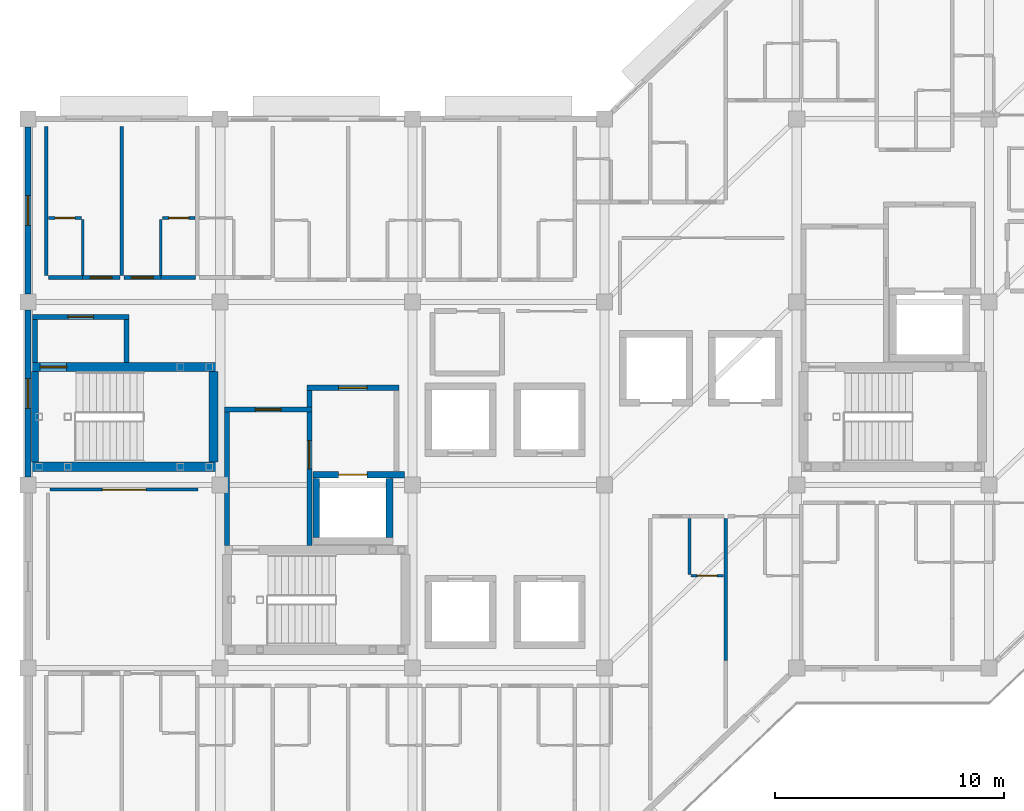
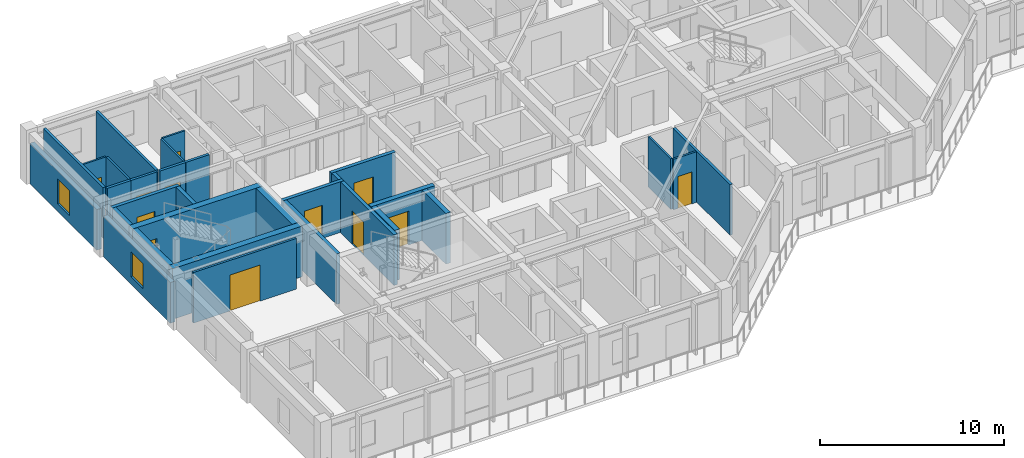
# One storey, part 6 of 16: 31 walls, 12 doors, 2 windows, 14 openings.
"""IFC4 building model written with IfcOpenShell, lengths in metres."""

import ifcopenshell
import ifcopenshell.guid

model = None  # the IFC model being written
_history = None  # IfcOwnerHistory: only IFC2X3 demands one
_inside = {}  # id of a spatial element -> (the spatial element, [elements in it])
_under = {}  # id of a project, library or spatial element -> (it, [spatial elements below it])
_declared = {}  # id of a project -> (the project, [libraries it declares])
_typed = {}  # id of a type object -> (the type object, [elements of that type])
_made_of = {}  # id of a material, layer set ... -> (it, [elements and type objects made of it])


def new_model(schema):
    """Start an empty IFC model of exactly this schema.

    Asked for "IFC4X3", IfcOpenShell would pick the latest addendum, in which some entities
    have other attributes; the version numbers below select the first issue.
    IFC2X3 requires an IfcOwnerHistory on every rooted entity: one is made here for all.
    """
    global model, _history
    if schema == "IFC4X3":
        model = ifcopenshell.file(schema_version=(4, 3, 0, 0))
    else:
        model = ifcopenshell.file(schema=schema)
    _inside.clear()
    _under.clear()
    _declared.clear()
    _typed.clear()
    _made_of.clear()
    _history = None
    if model.schema == "IFC2X3":
        org = make("IfcOrganization", Name="unknown")
        user = make(
            "IfcPersonAndOrganization",
            ThePerson=make("IfcPerson", FamilyName="unknown"),
            TheOrganization=org,
        )
        app = make(
            "IfcApplication",
            ApplicationDeveloper=org,
            Version="unknown",
            ApplicationFullName="unknown",
            ApplicationIdentifier="unknown",
        )
        _history = make(
            "IfcOwnerHistory",
            OwningUser=user,
            OwningApplication=app,
            ChangeAction="ADDED",
            CreationDate=0,
        )
    return model


def make(cls, **values):
    """One entity of the class cls with the attributes given. An attribute that is None is left unset."""
    return model.create_entity(
        cls, **{name: value for name, value in values.items() if value is not None}
    )


def rooted(cls, **values):
    """An entity with a GlobalId (a new one), such as an element, a storey or a relation."""
    return make(cls, GlobalId=ifcopenshell.guid.new(), OwnerHistory=_history, **values)


def si_unit(unit_type, name, prefix=None):
    """IfcSIUnit, for example si_unit("LENGTHUNIT", "METRE", prefix="MILLI")."""
    return make("IfcSIUnit", UnitType=unit_type, Prefix=prefix, Name=name)


def assignment(units):
    """IfcUnitAssignment: the units of a project."""
    return None if units is None else make("IfcUnitAssignment", Units=units)


def point(xyz):
    """IfcCartesianPoint."""
    return None if xyz is None else make("IfcCartesianPoint", Coordinates=xyz)


def direction(xyz):
    """IfcDirection."""
    return None if xyz is None else make("IfcDirection", DirectionRatios=xyz)


def frame(location, z_axis=None, x_axis=None):
    """IfcAxis2Placement3D, a coordinate frame: its origin and axes. An axis left out is left unset."""
    return make(
        "IfcAxis2Placement3D",
        Location=point(location),
        Axis=direction(z_axis),
        RefDirection=direction(x_axis),
    )


def frame_2d(location, x_axis=None):
    """IfcAxis2Placement2D, a coordinate frame in the plane: its origin and x axis."""
    return make(
        "IfcAxis2Placement2D", Location=point(location), RefDirection=direction(x_axis)
    )


def origin():
    """The frame at (0, 0, 0) with its axes left unset."""
    return frame((0.0, 0.0, 0.0))


def place(relative_to, where):
    """IfcLocalPlacement: puts the frame where relative to a parent placement (None: the world)."""
    return make(
        "IfcLocalPlacement", PlacementRelTo=relative_to, RelativePlacement=where
    )


def context(
    kind, dimensions, precision=None, world=None, true_north=None, identifier=None
):
    """IfcGeometricRepresentationContext, for example the 3D "Model" context."""
    return make(
        "IfcGeometricRepresentationContext",
        ContextIdentifier=identifier,
        ContextType=kind,
        CoordinateSpaceDimension=dimensions,
        Precision=precision,
        WorldCoordinateSystem=world,
        TrueNorth=true_north,
    )


def subcontext(parent, identifier, kind, view, scale=None):
    """IfcGeometricRepresentationSubContext, for example "Body" below "Model"."""
    return make(
        "IfcGeometricRepresentationSubContext",
        ContextIdentifier=identifier,
        ContextType=kind,
        ParentContext=parent,
        TargetScale=scale,
        TargetView=view,
    )


def project(units=None, contexts=None):
    """IfcProject with its units and contexts."""
    return rooted(
        "IfcProject",
        Name="project",
        RepresentationContexts=contexts,
        UnitsInContext=assignment(units),
    )


def spatial(cls, under=None, at=None, **own):
    """A site, building, storey or space (cls), placed at a placement, below another one or the project."""
    s = rooted(cls, ObjectPlacement=at, **own)
    if under is not None:
        _under.setdefault(under.id(), (under, []))[1].append(s)
    return s


def profile(cls, at=None, kind="AREA", **sizes):
    """A parametric profile (cls). Its sizes go by their IFC names, for example OverallWidth=200.0."""
    return make(cls, ProfileType=kind, Position=at, **sizes)


def rectangle(**sizes):
    """IfcRectangleProfileDef."""
    return profile("IfcRectangleProfileDef", **sizes)


def extrude(swept, where, along, depth):
    """IfcExtrudedAreaSolid: the profile swept, set in the frame where, extruded along a direction by depth."""
    return make(
        "IfcExtrudedAreaSolid",
        SweptArea=swept,
        Position=where,
        ExtrudedDirection=direction(along),
        Depth=depth,
    )


def shape(context_of_items, identifier, shape_type, items):
    """IfcShapeRepresentation: the items that make up one representation, for example the "Body"."""
    return make(
        "IfcShapeRepresentation",
        ContextOfItems=context_of_items,
        RepresentationIdentifier=identifier,
        RepresentationType=shape_type,
        Items=items,
    )


def material(Name=None, Category=None):
    """IfcMaterial."""
    return make("IfcMaterial", Name=Name, Category=Category)


def layer(
    of_material, thickness, ventilated=None, Name=None, Category=None, Priority=None
):
    """IfcMaterialLayer: one layer of a wall or slab, of a material (None: an air gap)."""
    return make(
        "IfcMaterialLayer",
        Material=of_material,
        LayerThickness=thickness,
        IsVentilated=ventilated,
        Name=Name,
        Category=Category,
        Priority=Priority,
    )


def layer_set(layers, Name=None):
    """IfcMaterialLayerSet."""
    return make("IfcMaterialLayerSet", MaterialLayers=layers, LayerSetName=Name)


def made_of(thing, what):
    """Note that an element or type object is made of a material, layer set ...; save() writes the relation."""
    if what is not None:
        _made_of.setdefault(what.id(), (what, []))[1].append(thing)
    return thing


def type_object(cls, material=None, **own):
    """A type object (cls), such as IfcWallType, which elements share."""
    return made_of(rooted(cls, **own), material)


def element(
    cls,
    number,
    at=None,
    inside=None,
    cuts=None,
    type_object=None,
    material=None,
    context=None,
    identifier="Body",
    shape_type=None,
    held_by="IfcProductDefinitionShape",
    body=None,
    shapes=None,
    **own,
):
    """One element of the class cls, such as IfcWall. Its Tag is "e" and its number.

    at: its placement. inside: the storey or other place that contains it. cuts: it is an
    opening in that element (IfcRelVoidsElement). A single representation is given by context,
    identifier, shape_type and body (its items); several are given by shapes. held_by: the class
    of the entity that holds the representations. save() writes the other relations.
    """
    e = rooted(cls, Tag="e%d" % number, ObjectPlacement=at, **own)
    if body is not None:
        shapes = [shape(context, identifier, shape_type, body)]
    if shapes is not None:
        e.Representation = make(held_by, Representations=shapes)
    if inside is not None:
        _inside.setdefault(inside.id(), (inside, []))[1].append(e)
    if cuts is not None:
        rooted(
            "IfcRelVoidsElement", RelatingBuildingElement=cuts, RelatedOpeningElement=e
        )
    if type_object is not None:
        _typed.setdefault(type_object.id(), (type_object, []))[1].append(e)
    return made_of(e, material)


def fill(opening, filler):
    """IfcRelFillsElement: the door or window that sits in an opening."""
    return rooted(
        "IfcRelFillsElement",
        RelatingOpeningElement=opening,
        RelatedBuildingElement=filler,
    )


def aggregate(whole, parts):
    """IfcRelAggregates: a whole, such as a stair, and the parts it consists of."""
    return rooted("IfcRelAggregates", RelatingObject=whole, RelatedObjects=parts)


def save(model, path):
    """Write the relations noted so far, then the file.

    IfcRelAggregates (storeys below a building ...), IfcRelContainedInSpatialStructure (elements
    in a storey), IfcRelDefinesByType, IfcRelAssociatesMaterial and IfcRelDeclares: one each for
    every whole, place, type object, material and project.
    """
    for whole, parts in _under.values():
        aggregate(whole, parts)
    for where, things in _inside.values():
        rooted(
            "IfcRelContainedInSpatialStructure",
            RelatedElements=things,
            RelatingStructure=where,
        )
    for kind, things in _typed.values():
        rooted("IfcRelDefinesByType", RelatedObjects=things, RelatingType=kind)
    for what, things in _made_of.values():
        rooted("IfcRelAssociatesMaterial", RelatedObjects=things, RelatingMaterial=what)
    for by, libraries in _declared.values():
        rooted("IfcRelDeclares", RelatingContext=by, RelatedDefinitions=libraries)
    model.write(path)


model = new_model("IFC4")

# Units and contexts
model_context = context("Model", 3, precision=1e-05, world=origin(), true_north=direction((0.0, 1.0)))
body_context = subcontext(model_context, "Body", "Model", "MODEL_VIEW")
ifc_project = project(units=[si_unit("LENGTHUNIT", "METRE"), si_unit("AREAUNIT", "SQUARE_METRE"), si_unit("VOLUMEUNIT", "CUBIC_METRE"), si_unit("PLANEANGLEUNIT", "RADIAN"), si_unit("MASSUNIT", "GRAM", prefix="KILO")], contexts=[model_context])

# Site, building, storey
site_placement = place(None, origin())
site = spatial("IfcSite", under=ifc_project, at=site_placement, CompositionType="ELEMENT")
building_placement = place(site_placement, origin())
building = spatial("IfcBuilding", under=site, at=building_placement, Name="Naruveol Harbour Congress Hotel", CompositionType="ELEMENT")
storey_placement = place(building_placement, frame((0.0, 0.0, 28.800048828125)))
storey = spatial("IfcBuildingStorey", under=building, at=storey_placement, Name="L06", CompositionType="ELEMENT", Elevation=28.800048828125)

# Wall, opening, door
ifc_material_1 = material(Name="Acoustic Double Stud Gypsum", Category="gypsum")
ifc_layer_1 = layer(ifc_material_1, 0.139892578125)
ifc_layer_set_1 = layer_set([ifc_layer_1], Name="Acoustic Double Stud Gypsum")
wall_type_1 = type_object("IfcWallType", Name="ACOUSTIC MEETING PARTITION WALL 140", PredefinedType="PARTITIONING", material=ifc_layer_set_1)
wall_1_placement = place(storey_placement, frame((118.56005859375, 15.800048828125, 0.0), z_axis=(0.0, 0.0, 1.0), x_axis=(1.0, 0.0, 0.0)))
wall_1 = element("IfcWall", 1, at=wall_1_placement, inside=storey, type_object=wall_type_1, Name="Executive Harbour Lounge north entry wall PW-140", PredefinedType="PARTITIONING", context=body_context, shape_type="SweptSolid", body=[
    extrude(rectangle(XDim=6.47998046875, YDim=0.139892578125, at=frame_2d((3.239990234375, 0.0))), origin(), (0.0, 0.0, 1.0), 3.364990234375),
])
opening_1_placement = place(wall_1_placement, frame((2.2900390625, 0.0, 0.0)))
opening_1 = element("IfcOpeningElement", 2, at=opening_1_placement, cuts=wall_1, Name="Opening ID-LG-107", PredefinedType="OPENING", context=body_context, shape_type="SweptSolid", body=[
    extrude(rectangle(XDim=1.89990234375, YDim=2.39990234375, at=frame_2d((0.949951171875, 1.199951171875))), frame((0.0, 0.079833984375, 0.0), z_axis=(0.0, -1.0, 0.0), x_axis=(1.0, 0.0, 0.0)), (0.0, 0.0, 1.0), 0.159912109375),
])
ifc_material_2 = material(Name="Timber & Steel Acoustic Leaf", Category="steel")
door_type_1 = type_object("IfcDoorType", Name="RESTAURANT AND LOUNGE GLAZED DOOR 1900X2400", OperationType="DOUBLE_DOOR_SINGLE_SWING", PredefinedType="DOOR", material=ifc_material_2)
door_1_placement = place(opening_1_placement, origin())
door_1 = element("IfcDoor", 3, at=door_1_placement, inside=storey, type_object=door_type_1, Name="Executive Harbour Lounge Entrance Door", OperationType="DOUBLE_DOOR_SINGLE_SWING", OverallHeight=2.39990234375, OverallWidth=1.89990234375, PredefinedType="DOOR", context=body_context, shape_type="SweptSolid", body=[
    extrude(rectangle(XDim=1.89990234375, YDim=2.39990234375, at=frame_2d((0.949951171875, 1.199951171875))), frame((0.0, 0.02490234375, 0.0), z_axis=(0.0, -1.0, 0.0), x_axis=(1.0, 0.0, 0.0)), (0.0, 0.0, 1.0), 0.050048828125),
])
fill(opening_1, door_1)

# Wall, opening, window
ifc_material_3 = material(Name="Precast concrete C40/50", Category="concrete")
ifc_layer_2 = layer(ifc_material_3, 0.280029296875)
ifc_layer_set_2 = layer_set([ifc_layer_2], Name="Precast concrete C40/50")
wall_type_2 = type_object("IfcWallType", Name="ARCHITECTURAL PRECAST FACADE WALL 280", PredefinedType="SOLIDWALL", material=ifc_layer_set_2)
wall_2_placement = place(storey_placement, frame((117.60009765625, 16.35009765625, 0.0), z_axis=(0.0, 0.0, 1.0), x_axis=(0.0, 1.0, 0.0)))
wall_2 = element("IfcWall", 4, at=wall_2_placement, inside=storey, type_object=wall_type_2, Name="Hotel west gable wall L06 EW-280", PredefinedType="SOLIDWALL", context=body_context, shape_type="SweptSolid", body=[
    extrude(rectangle(XDim=7.2998046875, YDim=0.280029296875, at=frame_2d((3.64990234375, 0.0))), origin(), (0.0, 0.0, 1.0), 2.699951171875),
])
opening_2_placement = place(wall_2_placement, frame((3.0, 0.0, 0.5)))
opening_2 = element("IfcOpeningElement", 5, at=opening_2_placement, cuts=wall_2, Name="Opening W-27", PredefinedType="OPENING", context=body_context, shape_type="SweptSolid", body=[
    extrude(rectangle(XDim=1.300048828125, YDim=1.64990234375, at=frame_2d((0.64990234375, 0.824951171875))), frame((0.0, 0.14990234375, 0.0), z_axis=(0.0, -1.0, 0.0), x_axis=(1.0, 0.0, 0.0)), (0.0, 0.0, 1.0), 0.300048828125),
])
ifc_material_4 = material(Name="Low-E Triple Glazing in Thermal Aluminium", Category="aluminium")
window_type = type_object("IfcWindowType", Name="READING SALON TALL WINDOW 1300X1650", PartitioningType="SINGLE_PANEL", PredefinedType="WINDOW", material=ifc_material_4)
window_1_placement = place(opening_2_placement, origin())
window_1 = element("IfcWindow", 6, at=window_1_placement, inside=storey, type_object=window_type, Name="Window W-27 #378", OverallHeight=1.64990234375, OverallWidth=1.300048828125, PartitioningType="SINGLE_PANEL", PredefinedType="WINDOW", context=body_context, shape_type="SweptSolid", body=[
    extrude(rectangle(XDim=1.300048828125, YDim=1.64990234375, at=frame_2d((0.64990234375, 0.824951171875))), frame((0.0, 0.030029296875, 0.0), z_axis=(0.0, -1.0, 0.0), x_axis=(1.0, 0.0, 0.0)), (0.0, 0.0, 1.0), 0.06005859375),
])
fill(opening_2, window_1)

wall_3_placement = place(storey_placement, frame((117.60009765625, 24.35009765625, 0.0), z_axis=(0.0, 0.0, 1.0), x_axis=(0.0, 1.0, 0.0)))
wall_3 = element("IfcWall", 7, at=wall_3_placement, inside=storey, type_object=wall_type_2, Name="Hotel west gable wall L06 EW-280", PredefinedType="SOLIDWALL", context=body_context, shape_type="SweptSolid", body=[
    extrude(rectangle(XDim=7.2998046875, YDim=0.280029296875, at=frame_2d((3.64990234375, 0.0))), origin(), (0.0, 0.0, 1.0), 2.699951171875),
])
opening_3_placement = place(wall_3_placement, frame((3.0, 0.0, 0.5)))
opening_3 = element("IfcOpeningElement", 8, at=opening_3_placement, cuts=wall_3, Name="Opening W-27", PredefinedType="OPENING", context=body_context, shape_type="SweptSolid", body=[
    extrude(rectangle(XDim=1.300048828125, YDim=1.64990234375, at=frame_2d((0.64990234375, 0.824951171875))), frame((0.0, 0.14990234375, 0.0), z_axis=(0.0, -1.0, 0.0), x_axis=(1.0, 0.0, 0.0)), (0.0, 0.0, 1.0), 0.300048828125),
])
window_2_placement = place(opening_3_placement, origin())
window_2 = element("IfcWindow", 9, at=window_2_placement, inside=storey, type_object=window_type, Name="Window W-27 #379", OverallHeight=1.64990234375, OverallWidth=1.300048828125, PartitioningType="SINGLE_PANEL", PredefinedType="WINDOW", context=body_context, shape_type="SweptSolid", body=[
    extrude(rectangle(XDim=1.300048828125, YDim=1.64990234375, at=frame_2d((0.64990234375, 0.824951171875))), frame((0.0, 0.030029296875, 0.0), z_axis=(0.0, -1.0, 0.0), x_axis=(1.0, 0.0, 0.0)), (0.0, 0.0, 1.0), 0.06005859375),
])
fill(opening_3, window_2)

# Wall
ifc_material_5 = material(Name="Moisture-Resistant Gypsum Partition", Category="gypsum")
ifc_layer_3 = layer(ifc_material_5, 0.114990234375)
ifc_layer_set_3 = layer_set([ifc_layer_3], Name="Moisture-Resistant Gypsum Partition")
wall_type_3 = type_object("IfcWallType", Name="BATHROOM MOISTURE PARTITION WALL 115", PredefinedType="PARTITIONING", material=ifc_layer_set_3)
wall_4_placement = place(storey_placement, frame((119.989990234375, 25.159912109375, 0.0), z_axis=(0.0, 0.0, 1.0), x_axis=(0.0, 1.0, 0.0)))
element("IfcWall", 10, at=wall_4_placement, inside=storey, type_object=wall_type_3, Name="Bathroom east wall 0770 PW-115", PredefinedType="PARTITIONING", context=body_context, shape_type="SweptSolid", body=[
    extrude(rectangle(XDim=2.4501953125, YDim=0.114990234375, at=frame_2d((1.22509765625, 0.0))), origin(), (0.0, 0.0, 1.0), 3.364990234375),
])

# Wall, opening, door
wall_5_placement = place(storey_placement, frame((118.5, 27.669921875, 0.0), z_axis=(0.0, 0.0, 1.0), x_axis=(1.0, 0.0, 0.0)))
wall_5 = element("IfcWall", 11, at=wall_5_placement, inside=storey, type_object=wall_type_3, Name="Bathroom north wall 0770 PW-115", PredefinedType="PARTITIONING", context=body_context, shape_type="SweptSolid", body=[
    extrude(rectangle(XDim=1.429931640625, YDim=0.114990234375, at=frame_2d((0.71484375, 0.0))), origin(), (0.0, 0.0, 1.0), 3.364990234375),
])
opening_4_placement = place(wall_5_placement, frame((0.284912109375, 0.0, 0.0)))
opening_4 = element("IfcOpeningElement", 12, at=opening_4_placement, cuts=wall_5, Name="Opening BD-RM0770", PredefinedType="OPENING", context=body_context, shape_type="SweptSolid", body=[
    extrude(rectangle(XDim=0.860107421875, YDim=2.1201171875, at=frame_2d((0.43017578125, 1.06005859375))), frame((0.0, 0.0673828125, 0.0), z_axis=(0.0, -1.0, 0.0), x_axis=(1.0, 0.0, 0.0)), (0.0, 0.0, 1.0), 0.135009765625),
])
ifc_material_6 = material(Name="Timber & Steel Acoustic Leaf", Category="steel")
door_type_2 = type_object("IfcDoorType", Name="GUEST BATHROOM DOOR 860X2120", OperationType="NOTDEFINED", PredefinedType="DOOR", material=ifc_material_6)
door_2_placement = place(opening_4_placement, origin())
door_2 = element("IfcDoor", 13, at=door_2_placement, inside=storey, type_object=door_type_2, Name="Bathroom Door 0770", OperationType="SINGLE_SWING_RIGHT", OverallHeight=2.1201171875, OverallWidth=0.860107421875, PredefinedType="DOOR", context=body_context, shape_type="SweptSolid", body=[
    extrude(rectangle(XDim=0.860107421875, YDim=2.1201171875, at=frame_2d((0.43017578125, 1.06005859375))), frame((0.0, 0.02490234375, 0.0), z_axis=(0.0, -1.0, 0.0), x_axis=(1.0, 0.0, 0.0)), (0.0, 0.0, 1.0), 0.050048828125),
])
fill(opening_4, door_2)

# Wall
wall_6_placement = place(storey_placement, frame((123.409912109375, 25.159912109375, 0.0), z_axis=(0.0, 0.0, 1.0), x_axis=(0.0, 1.0, 0.0)))
element("IfcWall", 14, at=wall_6_placement, inside=storey, type_object=wall_type_3, Name="Bathroom west wall 0771 PW-115", PredefinedType="PARTITIONING", context=body_context, shape_type="SweptSolid", body=[
    extrude(rectangle(XDim=2.4501953125, YDim=0.114990234375, at=frame_2d((1.22509765625, 0.0))), origin(), (0.0, 0.0, 1.0), 3.364990234375),
])

# Wall, opening, door
wall_7_placement = place(storey_placement, frame((123.469970703125, 27.669921875, 0.0), z_axis=(0.0, 0.0, 1.0), x_axis=(1.0, 0.0, 0.0)))
wall_7 = element("IfcWall", 15, at=wall_7_placement, inside=storey, type_object=wall_type_3, Name="Bathroom north wall 0771 PW-115", PredefinedType="PARTITIONING", context=body_context, shape_type="SweptSolid", body=[
    extrude(rectangle(XDim=1.429931640625, YDim=0.114990234375, at=frame_2d((0.71484375, 0.0))), origin(), (0.0, 0.0, 1.0), 3.364990234375),
])
opening_5_placement = place(wall_7_placement, frame((0.284912109375, 0.0, 0.0)))
opening_5 = element("IfcOpeningElement", 16, at=opening_5_placement, cuts=wall_7, Name="Opening BD-RM0771", PredefinedType="OPENING", context=body_context, shape_type="SweptSolid", body=[
    extrude(rectangle(XDim=0.860107421875, YDim=2.1201171875, at=frame_2d((0.43017578125, 1.06005859375))), frame((0.0, 0.0673828125, 0.0), z_axis=(0.0, -1.0, 0.0), x_axis=(1.0, 0.0, 0.0)), (0.0, 0.0, 1.0), 0.135009765625),
])
door_3_placement = place(opening_5_placement, origin())
door_3 = element("IfcDoor", 17, at=door_3_placement, inside=storey, type_object=door_type_2, Name="Bathroom Door 0771", OperationType="SINGLE_SWING_RIGHT", OverallHeight=2.1201171875, OverallWidth=0.860107421875, PredefinedType="DOOR", context=body_context, shape_type="SweptSolid", body=[
    extrude(rectangle(XDim=0.860107421875, YDim=2.1201171875, at=frame_2d((0.43017578125, 1.06005859375))), frame((0.0, 0.02490234375, 0.0), z_axis=(0.0, -1.0, 0.0), x_axis=(1.0, 0.0, 0.0)), (0.0, 0.0, 1.0), 0.050048828125),
])
fill(opening_5, door_3)

# Wall
wall_8_placement = place(storey_placement, frame((146.510009765625, 12.090087890625, 0.0), z_axis=(0.0, 0.0, 1.0), x_axis=(0.0, 1.0, 0.0)))
element("IfcWall", 18, at=wall_8_placement, inside=storey, type_object=wall_type_3, Name="Bathroom west wall 0761 PW-115", PredefinedType="PARTITIONING", context=body_context, shape_type="SweptSolid", body=[
    extrude(rectangle(XDim=2.449951171875, YDim=0.114990234375, at=frame_2d((1.22509765625, 0.0))), origin(), (0.0, 0.0, 1.0), 3.364990234375),
])

# Wall, opening, door
wall_9_placement = place(storey_placement, frame((146.570068359375, 12.030029296875, 0.0), z_axis=(0.0, 0.0, 1.0), x_axis=(1.0, 0.0, 0.0)))
wall_9 = element("IfcWall", 19, at=wall_9_placement, inside=storey, type_object=wall_type_3, Name="Bathroom south wall 0761 PW-115", PredefinedType="PARTITIONING", context=body_context, shape_type="SweptSolid", body=[
    extrude(rectangle(XDim=1.429931640625, YDim=0.114990234375, at=frame_2d((0.71484375, 0.0))), origin(), (0.0, 0.0, 1.0), 3.364990234375),
])
opening_6_placement = place(wall_9_placement, frame((0.284912109375, 0.0, 0.0)))
opening_6 = element("IfcOpeningElement", 20, at=opening_6_placement, cuts=wall_9, Name="Opening BD-RM0761", PredefinedType="OPENING", context=body_context, shape_type="SweptSolid", body=[
    extrude(rectangle(XDim=0.860107421875, YDim=2.1201171875, at=frame_2d((0.43017578125, 1.06005859375))), frame((0.0, 0.0673828125, 0.0), z_axis=(0.0, -1.0, 0.0), x_axis=(1.0, 0.0, 0.0)), (0.0, 0.0, 1.0), 0.135009765625),
])
door_4_placement = place(opening_6_placement, origin())
door_4 = element("IfcDoor", 21, at=door_4_placement, inside=storey, type_object=door_type_2, Name="Bathroom Door 0761", OperationType="SINGLE_SWING_RIGHT", OverallHeight=2.1201171875, OverallWidth=0.860107421875, PredefinedType="DOOR", context=body_context, shape_type="SweptSolid", body=[
    extrude(rectangle(XDim=0.860107421875, YDim=2.1201171875, at=frame_2d((0.43017578125, 1.06005859375))), frame((0.0, 0.02490234375, 0.0), z_axis=(0.0, -1.0, 0.0), x_axis=(1.0, 0.0, 0.0)), (0.0, 0.0, 1.0), 0.050048828125),
])
fill(opening_6, door_4)

# Wall
ifc_material_7 = material(Name="Concrete C40/50", Category="concrete")
ifc_layer_4 = layer(ifc_material_7, 0.219970703125)
ifc_layer_set_4 = layer_set([ifc_layer_4], Name="Concrete C40/50")
wall_type_4 = type_object("IfcWallType", Name="FIRE COMPARTMENT AND LOBBY WALL 220 EI120", PredefinedType="PARTITIONING", material=ifc_layer_set_4)
wall_10_placement = place(storey_placement, frame((126.300048828125, 13.364990234375, 0.0), z_axis=(0.0, 0.0, 1.0), x_axis=(0.0, 1.0, 0.0)))
element("IfcWall", 22, at=wall_10_placement, inside=storey, type_object=wall_type_4, Name="Smoke vestibule ST1 west wall FW-220", PredefinedType="PARTITIONING", context=body_context, shape_type="SweptSolid", body=[
    extrude(rectangle(XDim=5.820068359375, YDim=0.219970703125, at=frame_2d((2.91015625, 0.0))), origin(), (0.0, 0.0, 1.0), 3.364990234375),
])

# Wall, opening, door
wall_11_placement = place(storey_placement, frame((126.18994140625, 19.300048828125, 0.0), z_axis=(0.0, 0.0, 1.0), x_axis=(1.0, 0.0, 0.0)))
wall_11 = element("IfcWall", 23, at=wall_11_placement, inside=storey, type_object=wall_type_4, Name="Smoke vestibule ST1 north wall FW-220", PredefinedType="PARTITIONING", context=body_context, shape_type="SweptSolid", body=[
    extrude(rectangle(XDim=3.820068359375, YDim=0.219970703125, at=frame_2d((1.91015625, 0.0))), origin(), (0.0, 0.0, 1.0), 3.364990234375),
])
opening_7_placement = place(wall_11_placement, frame((1.35009765625, 0.0, 0.0)))
opening_7 = element("IfcOpeningElement", 24, at=opening_7_placement, cuts=wall_11, Name="Opening FD-ST1-V-L06", PredefinedType="OPENING", context=body_context, shape_type="SweptSolid", body=[
    extrude(rectangle(XDim=1.1201171875, YDim=2.199951171875, at=frame_2d((0.56005859375, 1.10009765625))), frame((0.0, 0.119873046875, 0.0), z_axis=(0.0, -1.0, 0.0), x_axis=(1.0, 0.0, 0.0)), (0.0, 0.0, 1.0), 0.239990234375),
])
ifc_material_8 = material(Name="Timber & Steel Acoustic Leaf", Category="steel")
door_type_3 = type_object("IfcDoorType", Name="VESTIBULE SMOKE CONTROL FIRE DOOR 1120X2200", OperationType="NOTDEFINED", PredefinedType="DOOR", material=ifc_material_8)
door_5_placement = place(opening_7_placement, origin())
door_5 = element("IfcDoor", 25, at=door_5_placement, inside=storey, type_object=door_type_3, Name="Smoke Vestibule Entry Door ST1 L06", OperationType="SINGLE_SWING_LEFT", OverallHeight=2.199951171875, OverallWidth=1.1201171875, PredefinedType="DOOR", context=body_context, shape_type="SweptSolid", body=[
    extrude(rectangle(XDim=1.1201171875, YDim=2.199951171875, at=frame_2d((0.56005859375, 1.10009765625))), frame((0.0, 0.02490234375, 0.0), z_axis=(0.0, -1.0, 0.0), x_axis=(1.0, 0.0, 0.0)), (0.0, 0.0, 1.0), 0.050048828125),
])
fill(opening_7, door_5)

wall_12_placement = place(storey_placement, frame((129.89990234375, 13.364990234375, 0.0), z_axis=(0.0, 0.0, 1.0), x_axis=(0.0, 1.0, 0.0)))
wall_12 = element("IfcWall", 26, at=wall_12_placement, inside=storey, type_object=wall_type_4, Name="Smoke vestibule ST1 east wall FW-220", PredefinedType="PARTITIONING", context=body_context, shape_type="SweptSolid", body=[
    extrude(rectangle(XDim=5.820068359375, YDim=0.219970703125, at=frame_2d((2.91015625, 0.0))), origin(), (0.0, 0.0, 1.0), 3.364990234375),
])
opening_8_placement = place(wall_12_placement, frame((3.3349609375, 0.0, 0.0)))
opening_8 = element("IfcOpeningElement", 27, at=opening_8_placement, cuts=wall_12, Name="Opening FD-FFL-ST1-L06", PredefinedType="OPENING", context=body_context, shape_type="SweptSolid", body=[
    extrude(rectangle(XDim=1.239990234375, YDim=2.199951171875, at=frame_2d((0.6201171875, 1.10009765625))), frame((0.0, 0.119873046875, 0.0), z_axis=(0.0, -1.0, 0.0), x_axis=(1.0, 0.0, 0.0)), (0.0, 0.0, 1.0), 0.239990234375),
])
ifc_material_9 = material(Name="Timber & Steel Acoustic Leaf", Category="steel")
door_type_4 = type_object("IfcDoorType", Name="FIREFIGHTING LOBBY FIRE DOOR 1240X2200", OperationType="NOTDEFINED", PredefinedType="DOOR", material=ifc_material_9)
door_6_placement = place(opening_8_placement, origin())
door_6 = element("IfcDoor", 28, at=door_6_placement, inside=storey, type_object=door_type_4, Name="Firefighting Lobby Vestibule Door ST1 L06", OperationType="SINGLE_SWING_RIGHT", OverallHeight=2.199951171875, OverallWidth=1.239990234375, PredefinedType="DOOR", context=body_context, shape_type="SweptSolid", body=[
    extrude(rectangle(XDim=1.239990234375, YDim=2.199951171875, at=frame_2d((0.6201171875, 1.10009765625))), frame((0.0, 0.02490234375, 0.0), z_axis=(0.0, -1.0, 0.0), x_axis=(1.0, 0.0, 0.0)), (0.0, 0.0, 1.0), 0.050048828125),
])
fill(opening_8, door_6)

# Wall
wall_13_placement = place(storey_placement, frame((129.89990234375, 19.4150390625, 0.0), z_axis=(0.0, 0.0, 1.0), x_axis=(0.0, 1.0, 0.0)))
element("IfcWall", 29, at=wall_13_placement, inside=storey, type_object=wall_type_4, Name="Firefighting lift lobby ST1 upper west wall FW-220", PredefinedType="PARTITIONING", context=body_context, shape_type="SweptSolid", body=[
    extrude(rectangle(XDim=0.719970703125, YDim=0.219970703125, at=frame_2d((0.35986328125, 0.0))), origin(), (0.0, 0.0, 1.0), 3.364990234375),
])

# Wall, opening, door
wall_14_placement = place(storey_placement, frame((129.7900390625, 20.25, 0.0), z_axis=(0.0, 0.0, 1.0), x_axis=(1.0, 0.0, 0.0)))
wall_14 = element("IfcWall", 30, at=wall_14_placement, inside=storey, type_object=wall_type_4, Name="Firefighting lift lobby ST1 north wall FW-220", PredefinedType="PARTITIONING", context=body_context, shape_type="SweptSolid", body=[
    extrude(rectangle(XDim=4.02001953125, YDim=0.219970703125, at=frame_2d((2.010009765625, 0.0))), origin(), (0.0, 0.0, 1.0), 3.364990234375),
])
opening_9_placement = place(wall_14_placement, frame((1.389892578125, 0.0, 0.0)))
opening_9 = element("IfcOpeningElement", 31, at=opening_9_placement, cuts=wall_14, Name="Opening FD-FFC-ST1-L06", PredefinedType="OPENING", context=body_context, shape_type="SweptSolid", body=[
    extrude(rectangle(XDim=1.239990234375, YDim=2.199951171875, at=frame_2d((0.6201171875, 1.10009765625))), frame((0.0, 0.119873046875, 0.0), z_axis=(0.0, -1.0, 0.0), x_axis=(1.0, 0.0, 0.0)), (0.0, 0.0, 1.0), 0.239990234375),
])
door_7_placement = place(opening_9_placement, origin())
door_7 = element("IfcDoor", 32, at=door_7_placement, inside=storey, type_object=door_type_4, Name="Firefighting Lobby Corridor Door ST1 L06", OperationType="SINGLE_SWING_LEFT", OverallHeight=2.199951171875, OverallWidth=1.239990234375, PredefinedType="DOOR", context=body_context, shape_type="SweptSolid", body=[
    extrude(rectangle(XDim=1.239990234375, YDim=2.199951171875, at=frame_2d((0.6201171875, 1.10009765625))), frame((0.0, 0.02490234375, 0.0), z_axis=(0.0, -1.0, 0.0), x_axis=(1.0, 0.0, 0.0)), (0.0, 0.0, 1.0), 0.050048828125),
])
fill(opening_9, door_7)

# Wall
wall_15_placement = place(storey_placement, frame((117.89990234375, 21.364990234375, 0.0), z_axis=(0.0, 0.0, 1.0), x_axis=(0.0, 1.0, 0.0)))
element("IfcWall", 33, at=wall_15_placement, inside=storey, type_object=wall_type_4, Name="Smoke vestibule ST3 west wall FW-220", PredefinedType="PARTITIONING", context=body_context, shape_type="SweptSolid", body=[
    extrude(rectangle(XDim=1.8701171875, YDim=0.219970703125, at=frame_2d((0.93505859375, 0.0))), origin(), (0.0, 0.0, 1.0), 3.364990234375),
])

# Wall, opening, door
wall_16_placement = place(storey_placement, frame((117.7900390625, 23.35009765625, 0.0), z_axis=(0.0, 0.0, 1.0), x_axis=(1.0, 0.0, 0.0)))
wall_16 = element("IfcWall", 34, at=wall_16_placement, inside=storey, type_object=wall_type_4, Name="Smoke vestibule ST3 north wall FW-220", PredefinedType="PARTITIONING", context=body_context, shape_type="SweptSolid", body=[
    extrude(rectangle(XDim=4.219970703125, YDim=0.219970703125, at=frame_2d((2.10986328125, 0.0))), origin(), (0.0, 0.0, 1.0), 3.364990234375),
])
opening_10_placement = place(wall_16_placement, frame((1.550048828125, 0.0, 0.0)))
opening_10 = element("IfcOpeningElement", 35, at=opening_10_placement, cuts=wall_16, Name="Opening FD-ST3-V-L06", PredefinedType="OPENING", context=body_context, shape_type="SweptSolid", body=[
    extrude(rectangle(XDim=1.1201171875, YDim=2.199951171875, at=frame_2d((0.56005859375, 1.10009765625))), frame((0.0, 0.119873046875, 0.0), z_axis=(0.0, -1.0, 0.0), x_axis=(1.0, 0.0, 0.0)), (0.0, 0.0, 1.0), 0.239990234375),
])
door_8_placement = place(opening_10_placement, origin())
door_8 = element("IfcDoor", 36, at=door_8_placement, inside=storey, type_object=door_type_3, Name="Smoke Vestibule Entry Door ST3 L06", OperationType="SINGLE_SWING_LEFT", OverallHeight=2.199951171875, OverallWidth=1.1201171875, PredefinedType="DOOR", context=body_context, shape_type="SweptSolid", body=[
    extrude(rectangle(XDim=1.1201171875, YDim=2.199951171875, at=frame_2d((0.56005859375, 1.10009765625))), frame((0.0, 0.02490234375, 0.0), z_axis=(0.0, -1.0, 0.0), x_axis=(1.0, 0.0, 0.0)), (0.0, 0.0, 1.0), 0.050048828125),
])
fill(opening_10, door_8)

# Walls
wall_17_placement = place(storey_placement, frame((121.89990234375, 21.364990234375, 0.0), z_axis=(0.0, 0.0, 1.0), x_axis=(0.0, 1.0, 0.0)))
element("IfcWall", 37, at=wall_17_placement, inside=storey, type_object=wall_type_4, Name="Smoke vestibule ST3 east wall FW-220", PredefinedType="PARTITIONING", context=body_context, shape_type="SweptSolid", body=[
    extrude(rectangle(XDim=1.8701171875, YDim=0.219970703125, at=frame_2d((0.93505859375, 0.0))), origin(), (0.0, 0.0, 1.0), 3.364990234375),
])
ifc_material_10 = material(Name="Autoclaved Aerated Concrete Block", Category="concrete")
ifc_layer_5 = layer(ifc_material_10, 0.159912109375)
ifc_layer_set_5 = layer_set([ifc_layer_5], Name="Autoclaved Aerated Concrete Block")
wall_type_5 = type_object("IfcWallType", Name="HOTEL PARTY AND CORRIDOR WALL 160 EI60", PredefinedType="PARTITIONING", material=ifc_layer_set_5)
wall_18_placement = place(storey_placement, frame((118.489990234375, 25.070068359375, 0.0), z_axis=(0.0, 0.0, 1.0), x_axis=(1.0, 0.0, 0.0)))
element("IfcWall", 38, at=wall_18_placement, inside=storey, type_object=wall_type_5, Name="Corridor wall 0770B PW-160", PredefinedType="PARTITIONING", context=body_context, shape_type="SweptSolid", body=[
    extrude(rectangle(XDim=1.489990234375, YDim=0.159912109375, at=frame_2d((0.7451171875, 0.0))), origin(), (0.0, 0.0, 1.0), 3.364990234375),
])

# Wall, opening, door
wall_19_placement = place(storey_placement, frame((119.989990234375, 25.070068359375, 0.0), z_axis=(0.0, 0.0, 1.0), x_axis=(1.0, 0.0, 0.0)))
wall_19 = element("IfcWall", 39, at=wall_19_placement, inside=storey, type_object=wall_type_5, Name="Corridor entry wall 0770 PW-160", PredefinedType="PARTITIONING", context=body_context, shape_type="SweptSolid", body=[
    extrude(rectangle(XDim=1.6201171875, YDim=0.159912109375, at=frame_2d((0.81005859375, 0.0))), origin(), (0.0, 0.0, 1.0), 3.364990234375),
])
opening_11_placement = place(wall_19_placement, frame((0.330078125, 0.0, 0.0)))
opening_11 = element("IfcOpeningElement", 40, at=opening_11_placement, cuts=wall_19, Name="Opening FD-RM0770", PredefinedType="OPENING", context=body_context, shape_type="SweptSolid", body=[
    extrude(rectangle(XDim=0.9599609375, YDim=2.199951171875, at=frame_2d((0.47998046875, 1.10009765625))), frame((0.0, 0.08984375, 0.0), z_axis=(0.0, -1.0, 0.0), x_axis=(1.0, 0.0, 0.0)), (0.0, 0.0, 1.0), 0.179931640625),
])
ifc_material_11 = material(Name="Timber & Steel Acoustic Leaf", Category="steel")
door_type_5 = type_object("IfcDoorType", Name="GUEST ROOM ENTRANCE FIRE DOOR 960X2200", OperationType="NOTDEFINED", PredefinedType="DOOR", material=ifc_material_11)
door_9_placement = place(opening_11_placement, origin())
door_9 = element("IfcDoor", 41, at=door_9_placement, inside=storey, type_object=door_type_5, Name="Hotel Room Door 0770", OperationType="SINGLE_SWING_LEFT", OverallHeight=2.199951171875, OverallWidth=0.9599609375, PredefinedType="DOOR", context=body_context, shape_type="SweptSolid", body=[
    extrude(rectangle(XDim=0.9599609375, YDim=2.199951171875, at=frame_2d((0.47998046875, 1.10009765625))), frame((0.0, 0.02490234375, 0.0), z_axis=(0.0, -1.0, 0.0), x_axis=(1.0, 0.0, 0.0)), (0.0, 0.0, 1.0), 0.050048828125),
])
fill(opening_11, door_9)

# Wall
wall_20_placement = place(storey_placement, frame((118.39990234375, 25.159912109375, 0.0), z_axis=(0.0, 0.0, 1.0), x_axis=(0.0, 1.0, 0.0)))
element("IfcWall", 42, at=wall_20_placement, inside=storey, type_object=wall_type_5, Name="Hotel party wall 0770 PW-160", PredefinedType="PARTITIONING", context=body_context, shape_type="SweptSolid", body=[
    extrude(rectangle(XDim=6.5, YDim=0.159912109375, at=frame_2d((3.25, 0.0))), origin(), (0.0, 0.0, 1.0), 3.364990234375),
])

# Wall, opening, door
wall_21_placement = place(storey_placement, frame((121.7900390625, 25.070068359375, 0.0), z_axis=(0.0, 0.0, 1.0), x_axis=(1.0, 0.0, 0.0)))
wall_21 = element("IfcWall", 43, at=wall_21_placement, inside=storey, type_object=wall_type_5, Name="Corridor entry wall 0771 PW-160", PredefinedType="PARTITIONING", context=body_context, shape_type="SweptSolid", body=[
    extrude(rectangle(XDim=1.619873046875, YDim=0.159912109375, at=frame_2d((0.81005859375, 0.0))), origin(), (0.0, 0.0, 1.0), 3.364990234375),
])
opening_12_placement = place(wall_21_placement, frame((0.330078125, 0.0, 0.0)))
opening_12 = element("IfcOpeningElement", 44, at=opening_12_placement, cuts=wall_21, Name="Opening FD-RM0771", PredefinedType="OPENING", context=body_context, shape_type="SweptSolid", body=[
    extrude(rectangle(XDim=0.9599609375, YDim=2.199951171875, at=frame_2d((0.47998046875, 1.10009765625))), frame((0.0, 0.08984375, 0.0), z_axis=(0.0, -1.0, 0.0), x_axis=(1.0, 0.0, 0.0)), (0.0, 0.0, 1.0), 0.179931640625),
])
door_10_placement = place(opening_12_placement, origin())
door_10 = element("IfcDoor", 45, at=door_10_placement, inside=storey, type_object=door_type_5, Name="Hotel Room Door 0771", OperationType="SINGLE_SWING_LEFT", OverallHeight=2.199951171875, OverallWidth=0.9599609375, PredefinedType="DOOR", context=body_context, shape_type="SweptSolid", body=[
    extrude(rectangle(XDim=0.9599609375, YDim=2.199951171875, at=frame_2d((0.47998046875, 1.10009765625))), frame((0.0, 0.02490234375, 0.0), z_axis=(0.0, -1.0, 0.0), x_axis=(1.0, 0.0, 0.0)), (0.0, 0.0, 1.0), 0.050048828125),
])
fill(opening_12, door_10)

# Walls
wall_22_placement = place(storey_placement, frame((123.419921875, 25.070068359375, 0.0), z_axis=(0.0, 0.0, 1.0), x_axis=(1.0, 0.0, 0.0)))
element("IfcWall", 46, at=wall_22_placement, inside=storey, type_object=wall_type_5, Name="Corridor wall 0771B PW-160", PredefinedType="PARTITIONING", context=body_context, shape_type="SweptSolid", body=[
    extrude(rectangle(XDim=1.489990234375, YDim=0.159912109375, at=frame_2d((0.7451171875, 0.0))), origin(), (0.0, 0.0, 1.0), 3.364990234375),
])
wall_23_placement = place(storey_placement, frame((121.699951171875, 25.159912109375, 0.0), z_axis=(0.0, 0.0, 1.0), x_axis=(0.0, 1.0, 0.0)))
element("IfcWall", 47, at=wall_23_placement, inside=storey, type_object=wall_type_5, Name="Hotel party wall 0771 PW-160", PredefinedType="PARTITIONING", context=body_context, shape_type="SweptSolid", body=[
    extrude(rectangle(XDim=6.5, YDim=0.159912109375, at=frame_2d((3.25, 0.0))), origin(), (0.0, 0.0, 1.0), 3.364990234375),
])
wall_24_placement = place(storey_placement, frame((148.10009765625, 8.340087890625, 0.0), z_axis=(0.0, 0.0, 1.0), x_axis=(0.0, 1.0, 0.0)))
element("IfcWall", 48, at=wall_24_placement, inside=storey, type_object=wall_type_5, Name="Hotel party wall 0762 PW-160", PredefinedType="PARTITIONING", context=body_context, shape_type="SweptSolid", body=[
    extrude(rectangle(XDim=6.199951171875, YDim=0.159912109375, at=frame_2d((3.10009765625, 0.0))), origin(), (0.0, 0.0, 1.0), 3.364990234375),
])
ifc_material_12 = material(Name="Concrete C50/60", Category="concrete")
ifc_layer_6 = layer(ifc_material_12, 0.39990234375)
ifc_layer_set_6 = layer_set([ifc_layer_6], Name="Concrete C50/60")
wall_type_6 = type_object("IfcWallType", Name="RC CORE SHEAR WALL 400 EI120", PredefinedType="SHEAR", material=ifc_layer_set_6)
wall_25_placement = place(storey_placement, frame((117.75, 16.800048828125, 0.0), z_axis=(0.0, 0.0, 1.0), x_axis=(1.0, 0.0, 0.0)))
element("IfcWall", 49, at=wall_25_placement, inside=storey, type_object=wall_type_6, Name="Stair ST3 south core wall CW-400", PredefinedType="SHEAR", context=body_context, shape_type="SweptSolid", body=[
    extrude(rectangle(XDim=8.14990234375, YDim=0.39990234375, at=frame_2d((4.074951171875, 0.0))), origin(), (0.0, 0.0, 1.0), 3.364990234375),
])
wall_26_placement = place(storey_placement, frame((125.699951171875, 17.0048828125, 0.0), z_axis=(0.0, 0.0, 1.0), x_axis=(0.0, 1.0, 0.0)))
element("IfcWall", 50, at=wall_26_placement, inside=storey, type_object=wall_type_6, Name="Stair ST3 east core wall CW-400", PredefinedType="SHEAR", context=body_context, shape_type="SweptSolid", body=[
    extrude(rectangle(XDim=3.9501953125, YDim=0.39990234375, at=frame_2d((1.97509765625, 0.0))), origin(), (0.0, 0.0, 1.0), 3.364990234375),
])

# Wall, opening, door
wall_27_placement = place(storey_placement, frame((117.75, 21.159912109375, 0.0), z_axis=(0.0, 0.0, 1.0), x_axis=(1.0, 0.0, 0.0)))
wall_27 = element("IfcWall", 51, at=wall_27_placement, inside=storey, type_object=wall_type_6, Name="Stair ST3 north core wall CW-400", PredefinedType="SHEAR", context=body_context, shape_type="SweptSolid", body=[
    extrude(rectangle(XDim=8.14990234375, YDim=0.39990234375, at=frame_2d((4.074951171875, 0.0))), origin(), (0.0, 0.0, 1.0), 3.364990234375),
])
opening_13_placement = place(wall_27_placement, frame((0.3798828125, 0.0, 0.0)))
opening_13 = element("IfcOpeningElement", 52, at=opening_13_placement, cuts=wall_27, Name="Opening FD-ST3-S-L06", PredefinedType="OPENING", context=body_context, shape_type="SweptSolid", body=[
    extrude(rectangle(XDim=1.159912109375, YDim=2.199951171875, at=frame_2d((0.580078125, 1.10009765625))), frame((0.0, 0.2099609375, 0.0), z_axis=(0.0, -1.0, 0.0), x_axis=(1.0, 0.0, 0.0)), (0.0, 0.0, 1.0), 0.419921875),
])
ifc_material_13 = material(Name="Timber & Steel Acoustic Leaf", Category="steel")
door_type_6 = type_object("IfcDoorType", Name="SPECIAL ESCAPE STAIR FIRE DOOR 1160X2200", OperationType="NOTDEFINED", PredefinedType="DOOR", material=ifc_material_13)
door_11_placement = place(opening_13_placement, origin())
door_11 = element("IfcDoor", 53, at=door_11_placement, inside=storey, type_object=door_type_6, Name="Special Escape Stair Door ST3 L06", OperationType="SINGLE_SWING_RIGHT", OverallHeight=2.199951171875, OverallWidth=1.159912109375, PredefinedType="DOOR", context=body_context, shape_type="SweptSolid", body=[
    extrude(rectangle(XDim=1.159912109375, YDim=2.199951171875, at=frame_2d((0.580078125, 1.10009765625))), frame((0.0, 0.02490234375, 0.0), z_axis=(0.0, -1.0, 0.0), x_axis=(1.0, 0.0, 0.0)), (0.0, 0.0, 1.0), 0.050048828125),
])
fill(opening_13, door_11)

# Wall
ifc_material_14 = material(Name="Concrete C50/60", Category="concrete")
ifc_layer_7 = layer(ifc_material_14, 0.300048828125)
ifc_layer_set_7 = layer_set([ifc_layer_7], Name="Concrete C50/60")
wall_type_7 = type_object("IfcWallType", Name="RC STAIR AND HOISTWAY SHEAR WALL 300 EI120", PredefinedType="SHEAR", material=ifc_layer_set_7)
wall_28_placement = place(storey_placement, frame((133.39990234375, 13.705078125, 0.0), z_axis=(0.0, 0.0, 1.0), x_axis=(0.0, 1.0, 0.0)))
element("IfcWall", 54, at=wall_28_placement, inside=storey, type_object=wall_type_7, Name="Hoistway east shear wall FL1 SW-300", PredefinedType="SHEAR", context=body_context, shape_type="SweptSolid", body=[
    extrude(rectangle(XDim=2.58984375, YDim=0.300048828125, at=frame_2d((1.294921875, 0.0))), origin(), (0.0, 0.0, 1.0), 3.364990234375),
])

# Wall, opening, door
wall_29_placement = place(storey_placement, frame((134.06005859375, 16.449951171875, 0.0), z_axis=(0.0, 0.0, 1.0), x_axis=(-1.0, 0.0, 0.0)))
wall_29 = element("IfcWall", 55, at=wall_29_placement, inside=storey, type_object=wall_type_7, Name="Hoistway north shear wall FL1 SW-300", PredefinedType="SHEAR", context=body_context, shape_type="SweptSolid", body=[
    extrude(rectangle(XDim=4.010009765625, YDim=0.300048828125, at=frame_2d((2.0048828125, 0.0))), origin(), (0.0, 0.0, 1.0), 3.364990234375),
])
opening_14_placement = place(wall_29_placement, frame((1.635009765625, 0.0, 0.0)))
opening_14 = element("IfcOpeningElement", 56, at=opening_14_placement, cuts=wall_29, Name="Opening LD-FL1-L06", PredefinedType="OPENING", context=body_context, shape_type="SweptSolid", body=[
    extrude(rectangle(XDim=1.25, YDim=2.25, at=frame_2d((0.625, 1.125))), frame((0.0, 0.159912109375, 0.0), z_axis=(0.0, -1.0, 0.0), x_axis=(1.0, 0.0, 0.0)), (0.0, 0.0, 1.0), 0.320068359375),
])
ifc_material_15 = material(Name="Stainless Steel Lift Door", Category="steel")
door_type_7 = type_object("IfcDoorType", Name="FIREFIGHTING LIFT LANDING DOOR 1250X2250", OperationType="DOUBLE_DOOR_SLIDING", PredefinedType="DOOR", material=ifc_material_15)
door_12_placement = place(opening_14_placement, origin())
door_12 = element("IfcDoor", 57, at=door_12_placement, inside=storey, type_object=door_type_7, Name="Elevator Landing Door FL1 L06", OperationType="DOUBLE_DOOR_SLIDING", OverallHeight=2.25, OverallWidth=1.25, PredefinedType="DOOR", context=body_context, shape_type="SweptSolid", body=[
    extrude(rectangle(XDim=1.25, YDim=2.25, at=frame_2d((0.625, 1.125))), frame((0.0, 0.02490234375, 0.0), z_axis=(0.0, -1.0, 0.0), x_axis=(1.0, 0.0, 0.0)), (0.0, 0.0, 1.0), 0.050048828125),
])
fill(opening_14, door_12)

# Walls
wall_30_placement = place(storey_placement, frame((130.199951171875, 16.294921875, 0.0), z_axis=(0.0, 0.0, 1.0), x_axis=(0.0, -1.0, 0.0)))
element("IfcWall", 58, at=wall_30_placement, inside=storey, type_object=wall_type_7, Name="Hoistway west shear wall FL1 SW-300", PredefinedType="SHEAR", context=body_context, shape_type="SweptSolid", body=[
    extrude(rectangle(XDim=2.58984375, YDim=0.300048828125, at=frame_2d((1.294921875, 0.0))), origin(), (0.0, 0.0, 1.0), 3.364990234375),
])
wall_31_placement = place(storey_placement, frame((117.89990234375, 17.0048828125, 0.0), z_axis=(0.0, 0.0, 1.0), x_axis=(0.0, 1.0, 0.0)))
element("IfcWall", 59, at=wall_31_placement, inside=storey, type_object=wall_type_7, Name="Stair ST3 west core wall SW-300", PredefinedType="SHEAR", context=body_context, shape_type="SweptSolid", body=[
    extrude(rectangle(XDim=3.9501953125, YDim=0.300048828125, at=frame_2d((1.97509765625, 0.0))), origin(), (0.0, 0.0, 1.0), 3.364990234375),
])

save(model, "model.ifc")
